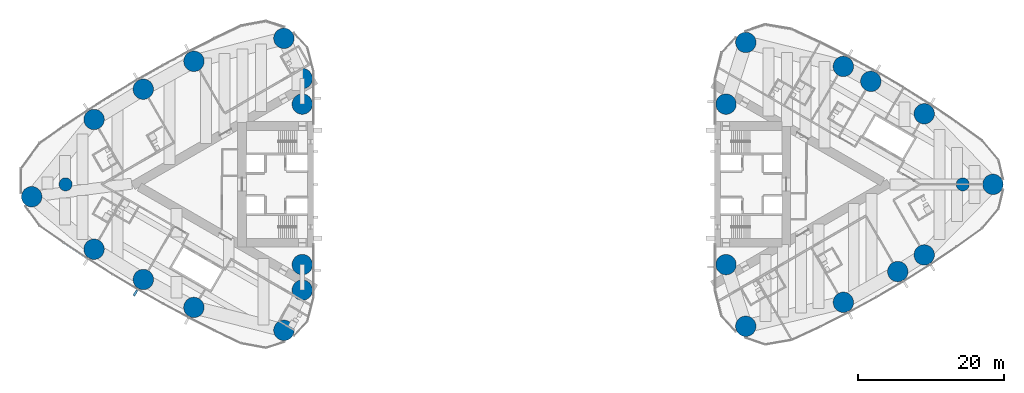
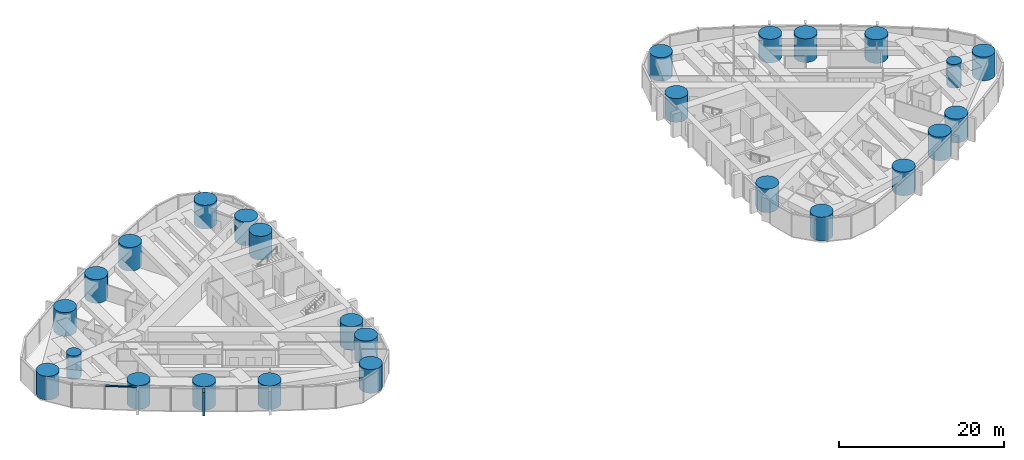
# One storey, part 1 of 18: 26 columns, 2 members, 1 element without a shape of its own.
"""IFC4 building model written with IfcOpenShell, lengths in metres."""

from ifc_helpers import new_model, si_unit, direction, frame, origin, origin_2d, place, context, subcontext, project, spatial, rectangle, circle, extrude, material, material_profile, profile_set, type_object, element, aggregate, save


model = new_model("IFC4")

# Units and contexts
model_context = context("Model", 3, precision=1e-05, world=origin(), true_north=direction((0.0, 1.0)))
body_context = subcontext(model_context, "Body", "Model", "MODEL_VIEW")
ifc_project = project(units=[si_unit("LENGTHUNIT", "METRE"), si_unit("AREAUNIT", "SQUARE_METRE"), si_unit("VOLUMEUNIT", "CUBIC_METRE"), si_unit("PLANEANGLEUNIT", "RADIAN"), si_unit("MASSUNIT", "GRAM", prefix="KILO")], contexts=[model_context])

# Site, building, storey
site_placement = place(None, origin())
site = spatial("IfcSite", under=ifc_project, at=site_placement, CompositionType="ELEMENT")
building_placement = place(site_placement, origin())
building = spatial("IfcBuilding", under=site, at=building_placement, Name="Lancet Gate Hotel", CompositionType="ELEMENT")
storey_placement = place(building_placement, frame((0.0, 0.0, 187.800048828125)))
storey = spatial("IfcBuildingStorey", under=building, at=storey_placement, Name="L50", CompositionType="ELEMENT", Elevation=187.800048828125)

# Columns
ifc_material_1 = material(Name="Concrete C60/75", Category="concrete")
ifc_material_profile_1 = material_profile(ifc_material_1, circle(Radius=0.89990234375, at=origin_2d()), Name="RC D1800")
ifc_profile_set_1 = profile_set([ifc_material_profile_1], Name="Concrete C60/75")
column_type_1 = type_object("IfcColumnType", Name="Apex column RC D1800", PredefinedType="COLUMN", material=ifc_profile_set_1)
for number, where, z_axis, x_axis, name in (
    (1, (-61.5, 0.0, 0.0), (0.0, 0.0, 1.0), (1.0, 0.0, 0.0), "T1 column AX L50"),
    (2, (61.5, 0.0, 0.0), (0.0, 0.0, 1.0), (1.0, 0.0, 0.0), "T2 column AX L50"),
):
    element("IfcColumn", number, at=place(storey_placement, frame(where, z_axis=z_axis, x_axis=x_axis)), inside=storey, type_object=column_type_1, Name=name, PredefinedType="COLUMN", context=body_context, shape_type="SweptSolid", body=[
        extrude(circle(Radius=0.89990234375, at=origin_2d()), origin(), (0.0, 0.0, 1.0), 3.5),
    ])
ifc_material_2 = material(Name="Concrete C60/75", Category="concrete")
ifc_material_profile_2 = material_profile(ifc_material_2, circle(Radius=1.39990234375, at=origin_2d()), Name="RC D2800")
ifc_profile_set_2 = profile_set([ifc_material_profile_2], Name="Concrete C60/75")
column_type_2 = type_object("IfcColumnType", Name="Perimeter column RC D2800", PredefinedType="COLUMN", material=ifc_profile_set_2)
for number, where, z_axis, x_axis, name in (
    (3, (-66.142578125, -1.6953125, 0.0), (0.0, 0.0, 1.0), (1.0, 0.0, 0.0), "T1 column CA L50"),
    (4, (-31.5654296875, -20.015869140625, 0.0), (0.0, 0.0, 1.0), (1.0, 0.0, 0.0), "T1 column CN L50"),
    (5, (-31.5654296875, 20.015869140625, 0.0), (0.0, 0.0, 1.0), (1.0, 0.0, 0.0), "T1 column CS L50"),
    (6, (-29.050048828125, -11.0, 0.0), (0.0, 0.0, 1.0), (1.0, 0.0, 0.0), "T1 column IN L50"),
    (7, (-29.050048828125, 11.0, 0.0), (0.0, 0.0, 1.0), (1.0, 0.0, 0.0), "T1 column IS L50"),
    (8, (-29.050048828125, 14.5, 0.0), (0.0, 0.0, 1.0), (1.0, 0.0, 0.0), "T1 column IT L50"),
    (9, (-29.050048828125, -14.5, 0.0), (0.0, 0.0, 1.0), (1.0, 0.0, 0.0), "T1 column JT L50"),
    (10, (-57.589599609375, -8.89306640625, 0.0), (0.0, 0.0, 1.0), (1.0, 0.0, 0.0), "T1 column ON1 L50"),
    (11, (-50.8388671875, -13.043212890625, 0.0), (0.0, 0.0, 1.0), (1.0, 0.0, 0.0), "T1 column ON2 L50"),
    (12, (-43.900390625, -16.871337890625, 0.0), (0.0, 0.0, 1.0), (1.0, 0.0, 0.0), "T1 column ON3 L50"),
    (13, (-43.900390625, 16.871337890625, 0.0), (0.0, 0.0, 1.0), (1.0, 0.0, 0.0), "T1 column OS1 L50"),
    (14, (-50.8388671875, 13.043212890625, 0.0), (0.0, 0.0, 1.0), (1.0, 0.0, 0.0), "T1 column OS2 L50"),
    (15, (-57.589599609375, 8.89306640625, 0.0), (0.0, 0.0, 1.0), (1.0, 0.0, 0.0), "T1 column OS3 L50"),
    (16, (65.6396484375, 0.0, 0.0), (0.0, 0.0, 1.0), (1.0, 0.0, 0.0), "T2 column CA L50"),
    (17, (31.759765625, 19.455810546875, 0.0), (0.0, 0.0, 1.0), (1.0, 0.0, 0.0), "T2 column CN L50"),
    (18, (31.759765625, -19.455810546875, 0.0), (0.0, 0.0, 1.0), (1.0, 0.0, 0.0), "T2 column CS L50"),
    (19, (29.050048828125, 11.0, 0.0), (0.0, 0.0, 1.0), (1.0, 0.0, 0.0), "T2 column IN L50"),
    (20, (29.050048828125, -11.0, 0.0), (0.0, 0.0, 1.0), (1.0, 0.0, 0.0), "T2 column IS L50"),
    (21, (56.220947265625, 9.67236328125, 0.0), (0.0, 0.0, 1.0), (1.0, 0.0, 0.0), "T2 column ON1 L50"),
    (22, (48.8974609375, 14.12060546875, 0.0), (0.0, 0.0, 1.0), (1.0, 0.0, 0.0), "T2 column ON2 L50"),
    (23, (45.133544921875, 16.16845703125, 0.0), (0.0, 0.0, 1.0), (1.0, 0.0, 0.0), "T2 column ON3 L50"),
    (24, (45.133544921875, -16.16845703125, 0.0), (0.0, 0.0, 1.0), (1.0, 0.0, 0.0), "T2 column OS1 L50"),
    (25, (52.594482421875, -11.95458984375, 0.0), (0.0, 0.0, 1.0), (1.0, 0.0, 0.0), "T2 column OS2 L50"),
    (26, (56.220947265625, -9.67236328125, 0.0), (0.0, 0.0, 1.0), (1.0, 0.0, 0.0), "T2 column OS3 L50"),
):
    element("IfcColumn", number, at=place(storey_placement, frame(where, z_axis=z_axis, x_axis=x_axis)), inside=storey, type_object=column_type_2, Name=name, PredefinedType="COLUMN", context=body_context, shape_type="SweptSolid", body=[
        extrude(circle(Radius=1.39990234375, at=origin_2d()), origin(), (0.0, 0.0, 1.0), 3.5),
    ])

# Curtain wall, members
ifc_material_3 = material(Name="Aluminium curtain wall", Category="aluminium")
curtain_wall_type = type_object("IfcCurtainWallType", Name="Tower unitised curtain wall", PredefinedType="USERDEFINED", material=ifc_material_3)
curtain_wall_placement = place(storey_placement, origin())
curtain_wall = element("IfcCurtainWall", 27, at=curtain_wall_placement, inside=storey, type_object=curtain_wall_type, Name="T1 L50 curtain wall 3", ObjectType="UNITISED CURTAIN WALL", PredefinedType="USERDEFINED")
ifc_material_4 = material(Name="Aluminium transom", Category="aluminium")
ifc_material_profile_3 = material_profile(ifc_material_4, rectangle(XDim=0.25, YDim=0.14990234375, at=origin_2d()), Name="TRANSOM 250x150")
ifc_profile_set_3 = profile_set([ifc_material_profile_3], Name="Aluminium transom")
member_type_1 = type_object("IfcMemberType", Name="Aluminium transom 250x150", PredefinedType="USERDEFINED", material=ifc_profile_set_3)
member_1_placement = place(storey_placement, frame((-61.735595703125, -7.998779296875, 3.425048828125), z_axis=(0.832870509189, -0.553467898729, 0.0), x_axis=(0.553467898729, 0.832870509189, 0.0)))
member_1 = element("IfcMember", 28, at=member_1_placement, type_object=member_type_1, Name="T1 L50 curtain wall 3 transom 3", ObjectType="TRANSOM", PredefinedType="USERDEFINED", context=body_context, shape_type="SweptSolid", body=[
    extrude(rectangle(XDim=0.25, YDim=0.14990234375, at=origin_2d()), origin(), (0.0, 0.0, 1.0), 3.933837890625),
])
ifc_material_5 = material(Name="Precast concrete C50/60", Category="concrete")
ifc_material_profile_4 = material_profile(ifc_material_5, rectangle(XDim=0.300048828125, YDim=0.89990234375, at=origin_2d()), Name="FIN 300x900")
ifc_profile_set_4 = profile_set([ifc_material_profile_4], Name="Precast concrete C50/60")
member_type_2 = type_object("IfcMemberType", Name="Exposed concrete fin 300x900", PredefinedType="USERDEFINED", material=ifc_profile_set_4)
member_2_placement = place(storey_placement, frame((-51.908935546875, -14.879150390625, 0.0), z_axis=(0.0, 0.0, 1.0), x_axis=(0.863968774311, -0.503545387245, 0.0)))
member_2 = element("IfcMember", 29, at=member_2_placement, type_object=member_type_2, Name="T1 L50 curtain wall 3 fin 6", ObjectType="FIN", PredefinedType="USERDEFINED", context=body_context, shape_type="SweptSolid", body=[
    extrude(rectangle(XDim=0.300048828125, YDim=0.89990234375, at=origin_2d()), origin(), (0.0, 0.0, 1.0), 3.5),
])
aggregate(curtain_wall, [member_2, member_1])

save(model, "model.ifc")
